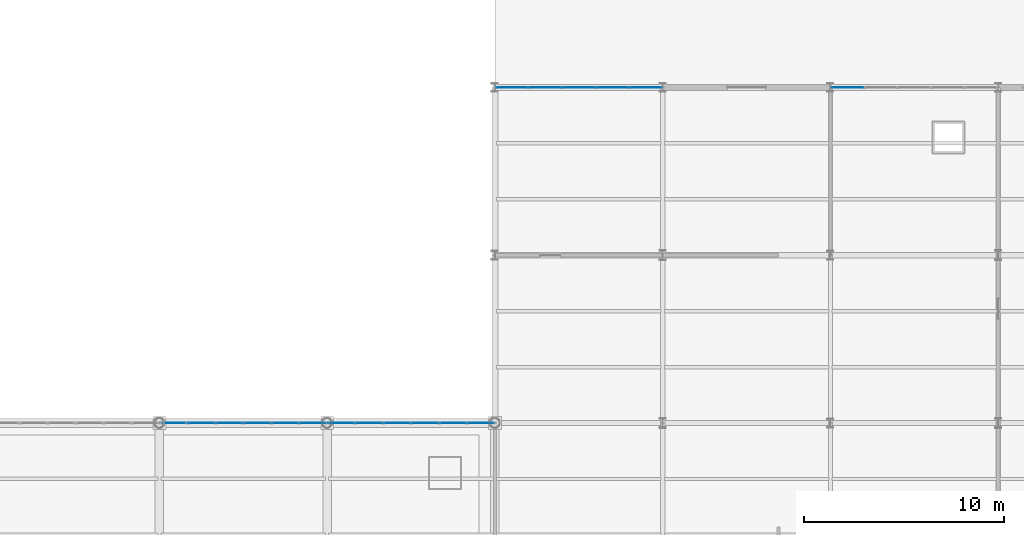
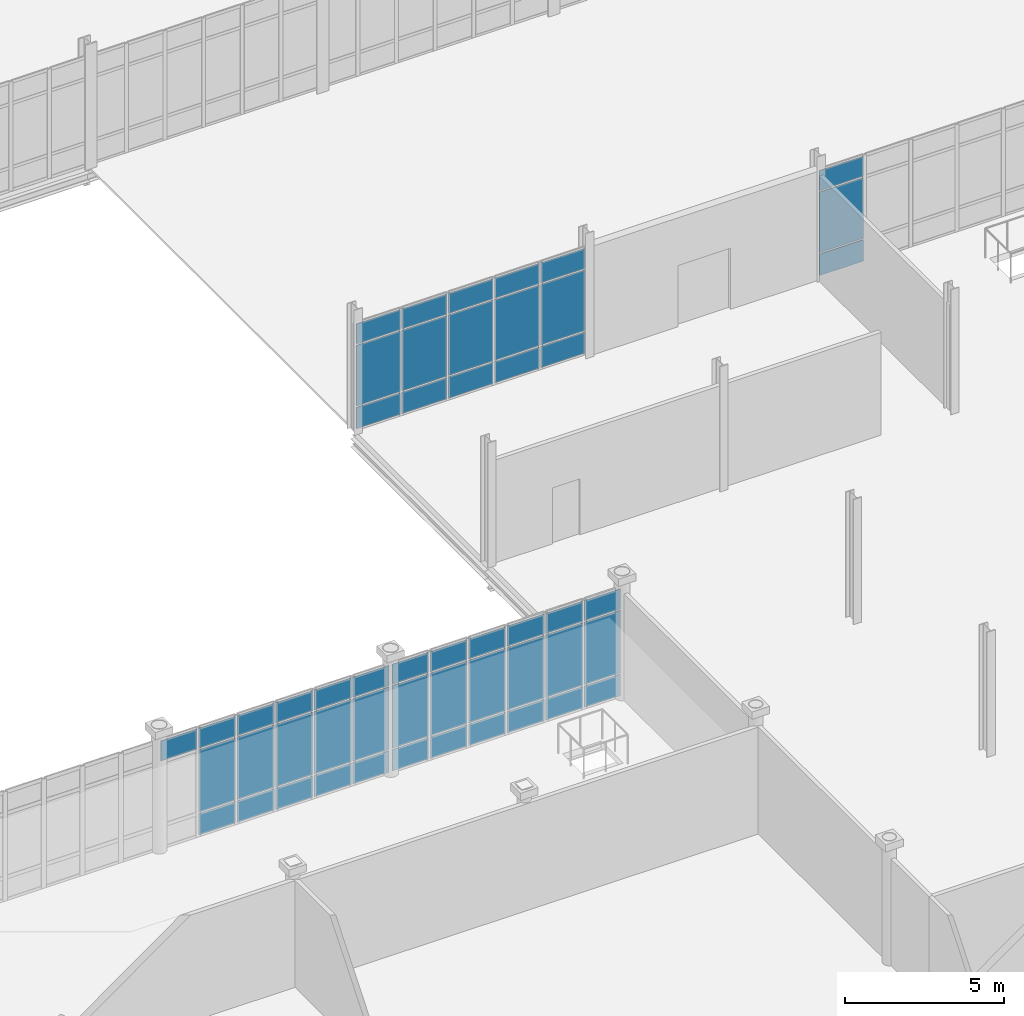
# One storey, part 113 of 145: 52 plates, 4 elements without a shape of their own.
"""IFC4 building model written with IfcOpenShell, lengths in metres."""

from ifc_helpers import new_model, si_unit, direction, frame, origin, origin_2d, place, context, subcontext, project, spatial, rectangle, extrude, material, layer, layer_set, type_object, element, aggregate, save


model = new_model("IFC4")

# Units and contexts
model_context = context("Model", 3, precision=1e-05, world=origin(), true_north=direction((0.0, 1.0)))
body_context = subcontext(model_context, "Body", "Model", "MODEL_VIEW")
ifc_project = project(units=[si_unit("LENGTHUNIT", "METRE"), si_unit("AREAUNIT", "SQUARE_METRE"), si_unit("VOLUMEUNIT", "CUBIC_METRE"), si_unit("PLANEANGLEUNIT", "RADIAN"), si_unit("MASSUNIT", "GRAM", prefix="KILO")], contexts=[model_context])

# Site, building, storey
site_placement = place(None, origin())
site = spatial("IfcSite", under=ifc_project, at=site_placement, CompositionType="ELEMENT")
building_placement = place(site_placement, origin())
building = spatial("IfcBuilding", under=site, at=building_placement, Name="Qalvenar Corner Mobility Hub", CompositionType="ELEMENT")
storey_placement = place(building_placement, origin())
storey = spatial("IfcBuildingStorey", under=building, at=storey_placement, Name="L00", CompositionType="ELEMENT", Elevation=0.0)

# Curtain wall, plates
ifc_material_1 = material(Name="Anodised Aluminium and Low-E Glazing", Category="aluminium")
ifc_layer_1 = layer(ifc_material_1, 0.179931640625)
ifc_layer_set_1 = layer_set([ifc_layer_1], Name="Anodised Aluminium and Low-E Glazing")
curtain_wall_type_1 = type_object("IfcCurtainWallType", Name="CW-CONC-84X48", PredefinedType="NOTDEFINED", material=ifc_layer_set_1)
curtain_wall_1_placement = place(storey_placement, origin())
curtain_wall_1 = element("IfcCurtainWall", 1, at=curtain_wall_1_placement, inside=storey, type_object=curtain_wall_type_1, Name="Glazed Curtain Wall CW-V1-L00-N5", PredefinedType="NOTDEFINED")
ifc_material_2 = material(Name="Solar-Control Low-E Double Glazing", Category="glass")
ifc_layer_2 = layer(ifc_material_2, 0.028076171875)
ifc_layer_set_2 = layer_set([ifc_layer_2], Name="Solar-Control Low-E Double Glazing")
plate_type = type_object("IfcPlateType", Name="PLT-CWP-GLZ1", PredefinedType="CURTAIN_PANEL", material=ifc_layer_set_2)
plate_1_placement = place(storey_placement, frame((100.0849609375, 33.60009765625, 0.05517578125), z_axis=(0.0, 0.0, 1.0), x_axis=(-1.0, 0.0, 0.0)))
plate_1 = element("IfcPlate", 2, at=plate_1_placement, type_object=plate_type, Name="CW-01 panel 1.1", PredefinedType="CURTAIN_PANEL", context=body_context, shape_type="SweptSolid", body=[
    extrude(rectangle(XDim=1.31005859375, YDim=0.028076171875, at=origin_2d()), origin(), (0.0, 0.0, 1.0), 0.8173828125),
])
plate_2_placement = place(storey_placement, frame((100.0849609375, 33.60009765625, 0.927490234375), z_axis=(0.0, 0.0, 1.0), x_axis=(-1.0, 0.0, 0.0)))
plate_2 = element("IfcPlate", 3, at=plate_2_placement, type_object=plate_type, Name="CW-01 panel 1.2", PredefinedType="CURTAIN_PANEL", context=body_context, shape_type="SweptSolid", body=[
    extrude(rectangle(XDim=1.31005859375, YDim=0.028076171875, at=origin_2d()), origin(), (0.0, 0.0, 1.0), 2.39501953125),
])
plate_3_placement = place(storey_placement, frame((100.0849609375, 33.60009765625, 3.37744140625), z_axis=(0.0, 0.0, 1.0), x_axis=(-1.0, 0.0, 0.0)))
plate_3 = element("IfcPlate", 4, at=plate_3_placement, type_object=plate_type, Name="CW-01 panel 1.3", PredefinedType="CURTAIN_PANEL", context=body_context, shape_type="SweptSolid", body=[
    extrude(rectangle(XDim=1.31005859375, YDim=0.028076171875, at=origin_2d()), origin(), (0.0, 0.0, 1.0), 0.767578125),
])
plate_4_placement = place(storey_placement, frame((98.699951171875, 33.60009765625, 0.05517578125), z_axis=(0.0, 0.0, 1.0), x_axis=(-1.0, 0.0, 0.0)))
plate_4 = element("IfcPlate", 5, at=plate_4_placement, type_object=plate_type, Name="CW-01 panel 2.1", PredefinedType="CURTAIN_PANEL", context=body_context, shape_type="SweptSolid", body=[
    extrude(rectangle(XDim=1.340087890625, YDim=0.028076171875, at=origin_2d()), origin(), (0.0, 0.0, 1.0), 0.8173828125),
])
plate_5_placement = place(storey_placement, frame((98.699951171875, 33.60009765625, 0.927490234375), z_axis=(0.0, 0.0, 1.0), x_axis=(-1.0, 0.0, 0.0)))
plate_5 = element("IfcPlate", 6, at=plate_5_placement, type_object=plate_type, Name="CW-01 panel 2.2", PredefinedType="CURTAIN_PANEL", context=body_context, shape_type="SweptSolid", body=[
    extrude(rectangle(XDim=1.340087890625, YDim=0.028076171875, at=origin_2d()), origin(), (0.0, 0.0, 1.0), 2.39501953125),
])
plate_6_placement = place(storey_placement, frame((98.699951171875, 33.60009765625, 3.37744140625), z_axis=(0.0, 0.0, 1.0), x_axis=(-1.0, 0.0, 0.0)))
plate_6 = element("IfcPlate", 7, at=plate_6_placement, type_object=plate_type, Name="CW-01 panel 2.3", PredefinedType="CURTAIN_PANEL", context=body_context, shape_type="SweptSolid", body=[
    extrude(rectangle(XDim=1.340087890625, YDim=0.028076171875, at=origin_2d()), origin(), (0.0, 0.0, 1.0), 0.767578125),
])
plate_7_placement = place(storey_placement, frame((97.300048828125, 33.60009765625, 0.05517578125), z_axis=(0.0, 0.0, 1.0), x_axis=(-1.0, 0.0, 0.0)))
plate_7 = element("IfcPlate", 8, at=plate_7_placement, type_object=plate_type, Name="CW-01 panel 3.1", PredefinedType="CURTAIN_PANEL", context=body_context, shape_type="SweptSolid", body=[
    extrude(rectangle(XDim=1.340087890625, YDim=0.028076171875, at=origin_2d()), origin(), (0.0, 0.0, 1.0), 0.8173828125),
])
plate_8_placement = place(storey_placement, frame((97.300048828125, 33.60009765625, 0.927490234375), z_axis=(0.0, 0.0, 1.0), x_axis=(-1.0, 0.0, 0.0)))
plate_8 = element("IfcPlate", 9, at=plate_8_placement, type_object=plate_type, Name="CW-01 panel 3.2", PredefinedType="CURTAIN_PANEL", context=body_context, shape_type="SweptSolid", body=[
    extrude(rectangle(XDim=1.340087890625, YDim=0.028076171875, at=origin_2d()), origin(), (0.0, 0.0, 1.0), 2.39501953125),
])
plate_9_placement = place(storey_placement, frame((97.300048828125, 33.60009765625, 3.37744140625), z_axis=(0.0, 0.0, 1.0), x_axis=(-1.0, 0.0, 0.0)))
plate_9 = element("IfcPlate", 10, at=plate_9_placement, type_object=plate_type, Name="CW-01 panel 3.3", PredefinedType="CURTAIN_PANEL", context=body_context, shape_type="SweptSolid", body=[
    extrude(rectangle(XDim=1.340087890625, YDim=0.028076171875, at=origin_2d()), origin(), (0.0, 0.0, 1.0), 0.767578125),
])
plate_10_placement = place(storey_placement, frame((95.89990234375, 33.60009765625, 0.05517578125), z_axis=(0.0, 0.0, 1.0), x_axis=(-1.0, 0.0, 0.0)))
plate_10 = element("IfcPlate", 11, at=plate_10_placement, type_object=plate_type, Name="CW-01 panel 4.1", PredefinedType="CURTAIN_PANEL", context=body_context, shape_type="SweptSolid", body=[
    extrude(rectangle(XDim=1.340087890625, YDim=0.028076171875, at=origin_2d()), origin(), (0.0, 0.0, 1.0), 0.8173828125),
])
plate_11_placement = place(storey_placement, frame((95.89990234375, 33.60009765625, 0.927490234375), z_axis=(0.0, 0.0, 1.0), x_axis=(-1.0, 0.0, 0.0)))
plate_11 = element("IfcPlate", 12, at=plate_11_placement, type_object=plate_type, Name="CW-01 panel 4.2", PredefinedType="CURTAIN_PANEL", context=body_context, shape_type="SweptSolid", body=[
    extrude(rectangle(XDim=1.340087890625, YDim=0.028076171875, at=origin_2d()), origin(), (0.0, 0.0, 1.0), 2.39501953125),
])
plate_12_placement = place(storey_placement, frame((95.89990234375, 33.60009765625, 3.37744140625), z_axis=(0.0, 0.0, 1.0), x_axis=(-1.0, 0.0, 0.0)))
plate_12 = element("IfcPlate", 13, at=plate_12_placement, type_object=plate_type, Name="CW-01 panel 4.3", PredefinedType="CURTAIN_PANEL", context=body_context, shape_type="SweptSolid", body=[
    extrude(rectangle(XDim=1.340087890625, YDim=0.028076171875, at=origin_2d()), origin(), (0.0, 0.0, 1.0), 0.767578125),
])
plate_13_placement = place(storey_placement, frame((94.5, 33.60009765625, 0.05517578125), z_axis=(0.0, 0.0, 1.0), x_axis=(-1.0, 0.0, 0.0)))
plate_13 = element("IfcPlate", 14, at=plate_13_placement, type_object=plate_type, Name="CW-01 panel 5.1", PredefinedType="CURTAIN_PANEL", context=body_context, shape_type="SweptSolid", body=[
    extrude(rectangle(XDim=1.340087890625, YDim=0.028076171875, at=origin_2d()), origin(), (0.0, 0.0, 1.0), 0.8173828125),
])
plate_14_placement = place(storey_placement, frame((94.5, 33.60009765625, 0.927490234375), z_axis=(0.0, 0.0, 1.0), x_axis=(-1.0, 0.0, 0.0)))
plate_14 = element("IfcPlate", 15, at=plate_14_placement, type_object=plate_type, Name="CW-01 panel 5.2", PredefinedType="CURTAIN_PANEL", context=body_context, shape_type="SweptSolid", body=[
    extrude(rectangle(XDim=1.340087890625, YDim=0.028076171875, at=origin_2d()), origin(), (0.0, 0.0, 1.0), 2.39501953125),
])
plate_15_placement = place(storey_placement, frame((94.5, 33.60009765625, 3.37744140625), z_axis=(0.0, 0.0, 1.0), x_axis=(-1.0, 0.0, 0.0)))
plate_15 = element("IfcPlate", 16, at=plate_15_placement, type_object=plate_type, Name="CW-01 panel 5.3", PredefinedType="CURTAIN_PANEL", context=body_context, shape_type="SweptSolid", body=[
    extrude(rectangle(XDim=1.340087890625, YDim=0.028076171875, at=origin_2d()), origin(), (0.0, 0.0, 1.0), 0.767578125),
])
plate_16_placement = place(storey_placement, frame((93.114990234375, 33.60009765625, 3.37744140625), z_axis=(0.0, 0.0, 1.0), x_axis=(-1.0, 0.0, 0.0)))
plate_16 = element("IfcPlate", 17, at=plate_16_placement, type_object=plate_type, Name="CW-01 panel 6.3", PredefinedType="CURTAIN_PANEL", context=body_context, shape_type="SweptSolid", body=[
    extrude(rectangle(XDim=1.31005859375, YDim=0.028076171875, at=origin_2d()), origin(), (0.0, 0.0, 1.0), 0.767578125),
])
aggregate(curtain_wall_1, [plate_1, plate_2, plate_3, plate_4, plate_5, plate_6, plate_7, plate_8, plate_9, plate_10, plate_11, plate_12, plate_13, plate_14, plate_15, plate_16])

curtain_wall_2_placement = place(storey_placement, origin())
curtain_wall_2 = element("IfcCurtainWall", 18, at=curtain_wall_2_placement, inside=storey, type_object=curtain_wall_type_1, Name="Glazed Curtain Wall CW-V1-L00-N6", PredefinedType="NOTDEFINED")
plate_17_placement = place(storey_placement, frame((108.485107421875, 33.60009765625, 0.05517578125), z_axis=(0.0, 0.0, 1.0), x_axis=(-1.0, 0.0, 0.0)))
plate_17 = element("IfcPlate", 19, at=plate_17_placement, type_object=plate_type, Name="CW-01 panel 1.1", PredefinedType="CURTAIN_PANEL", context=body_context, shape_type="SweptSolid", body=[
    extrude(rectangle(XDim=1.31005859375, YDim=0.028076171875, at=origin_2d()), origin(), (0.0, 0.0, 1.0), 0.8173828125),
])
plate_18_placement = place(storey_placement, frame((108.485107421875, 33.60009765625, 0.927490234375), z_axis=(0.0, 0.0, 1.0), x_axis=(-1.0, 0.0, 0.0)))
plate_18 = element("IfcPlate", 20, at=plate_18_placement, type_object=plate_type, Name="CW-01 panel 1.2", PredefinedType="CURTAIN_PANEL", context=body_context, shape_type="SweptSolid", body=[
    extrude(rectangle(XDim=1.31005859375, YDim=0.028076171875, at=origin_2d()), origin(), (0.0, 0.0, 1.0), 2.39501953125),
])
plate_19_placement = place(storey_placement, frame((108.485107421875, 33.60009765625, 3.37744140625), z_axis=(0.0, 0.0, 1.0), x_axis=(-1.0, 0.0, 0.0)))
plate_19 = element("IfcPlate", 21, at=plate_19_placement, type_object=plate_type, Name="CW-01 panel 1.3", PredefinedType="CURTAIN_PANEL", context=body_context, shape_type="SweptSolid", body=[
    extrude(rectangle(XDim=1.31005859375, YDim=0.028076171875, at=origin_2d()), origin(), (0.0, 0.0, 1.0), 0.767578125),
])
plate_20_placement = place(storey_placement, frame((107.10009765625, 33.60009765625, 0.05517578125), z_axis=(0.0, 0.0, 1.0), x_axis=(-1.0, 0.0, 0.0)))
plate_20 = element("IfcPlate", 22, at=plate_20_placement, type_object=plate_type, Name="CW-01 panel 2.1", PredefinedType="CURTAIN_PANEL", context=body_context, shape_type="SweptSolid", body=[
    extrude(rectangle(XDim=1.340087890625, YDim=0.028076171875, at=origin_2d()), origin(), (0.0, 0.0, 1.0), 0.8173828125),
])
plate_21_placement = place(storey_placement, frame((107.10009765625, 33.60009765625, 0.927490234375), z_axis=(0.0, 0.0, 1.0), x_axis=(-1.0, 0.0, 0.0)))
plate_21 = element("IfcPlate", 23, at=plate_21_placement, type_object=plate_type, Name="CW-01 panel 2.2", PredefinedType="CURTAIN_PANEL", context=body_context, shape_type="SweptSolid", body=[
    extrude(rectangle(XDim=1.340087890625, YDim=0.028076171875, at=origin_2d()), origin(), (0.0, 0.0, 1.0), 2.39501953125),
])
plate_22_placement = place(storey_placement, frame((107.10009765625, 33.60009765625, 3.37744140625), z_axis=(0.0, 0.0, 1.0), x_axis=(-1.0, 0.0, 0.0)))
plate_22 = element("IfcPlate", 24, at=plate_22_placement, type_object=plate_type, Name="CW-01 panel 2.3", PredefinedType="CURTAIN_PANEL", context=body_context, shape_type="SweptSolid", body=[
    extrude(rectangle(XDim=1.340087890625, YDim=0.028076171875, at=origin_2d()), origin(), (0.0, 0.0, 1.0), 0.767578125),
])
plate_23_placement = place(storey_placement, frame((105.699951171875, 33.60009765625, 0.05517578125), z_axis=(0.0, 0.0, 1.0), x_axis=(-1.0, 0.0, 0.0)))
plate_23 = element("IfcPlate", 25, at=plate_23_placement, type_object=plate_type, Name="CW-01 panel 3.1", PredefinedType="CURTAIN_PANEL", context=body_context, shape_type="SweptSolid", body=[
    extrude(rectangle(XDim=1.340087890625, YDim=0.028076171875, at=origin_2d()), origin(), (0.0, 0.0, 1.0), 0.8173828125),
])
plate_24_placement = place(storey_placement, frame((105.699951171875, 33.60009765625, 0.927490234375), z_axis=(0.0, 0.0, 1.0), x_axis=(-1.0, 0.0, 0.0)))
plate_24 = element("IfcPlate", 26, at=plate_24_placement, type_object=plate_type, Name="CW-01 panel 3.2", PredefinedType="CURTAIN_PANEL", context=body_context, shape_type="SweptSolid", body=[
    extrude(rectangle(XDim=1.340087890625, YDim=0.028076171875, at=origin_2d()), origin(), (0.0, 0.0, 1.0), 2.39501953125),
])
plate_25_placement = place(storey_placement, frame((105.699951171875, 33.60009765625, 3.37744140625), z_axis=(0.0, 0.0, 1.0), x_axis=(-1.0, 0.0, 0.0)))
plate_25 = element("IfcPlate", 27, at=plate_25_placement, type_object=plate_type, Name="CW-01 panel 3.3", PredefinedType="CURTAIN_PANEL", context=body_context, shape_type="SweptSolid", body=[
    extrude(rectangle(XDim=1.340087890625, YDim=0.028076171875, at=origin_2d()), origin(), (0.0, 0.0, 1.0), 0.767578125),
])
plate_26_placement = place(storey_placement, frame((104.300048828125, 33.60009765625, 0.05517578125), z_axis=(0.0, 0.0, 1.0), x_axis=(-1.0, 0.0, 0.0)))
plate_26 = element("IfcPlate", 28, at=plate_26_placement, type_object=plate_type, Name="CW-01 panel 4.1", PredefinedType="CURTAIN_PANEL", context=body_context, shape_type="SweptSolid", body=[
    extrude(rectangle(XDim=1.340087890625, YDim=0.028076171875, at=origin_2d()), origin(), (0.0, 0.0, 1.0), 0.8173828125),
])
plate_27_placement = place(storey_placement, frame((104.300048828125, 33.60009765625, 0.927490234375), z_axis=(0.0, 0.0, 1.0), x_axis=(-1.0, 0.0, 0.0)))
plate_27 = element("IfcPlate", 29, at=plate_27_placement, type_object=plate_type, Name="CW-01 panel 4.2", PredefinedType="CURTAIN_PANEL", context=body_context, shape_type="SweptSolid", body=[
    extrude(rectangle(XDim=1.340087890625, YDim=0.028076171875, at=origin_2d()), origin(), (0.0, 0.0, 1.0), 2.39501953125),
])
plate_28_placement = place(storey_placement, frame((104.300048828125, 33.60009765625, 3.37744140625), z_axis=(0.0, 0.0, 1.0), x_axis=(-1.0, 0.0, 0.0)))
plate_28 = element("IfcPlate", 30, at=plate_28_placement, type_object=plate_type, Name="CW-01 panel 4.3", PredefinedType="CURTAIN_PANEL", context=body_context, shape_type="SweptSolid", body=[
    extrude(rectangle(XDim=1.340087890625, YDim=0.028076171875, at=origin_2d()), origin(), (0.0, 0.0, 1.0), 0.767578125),
])
plate_29_placement = place(storey_placement, frame((102.89990234375, 33.60009765625, 0.05517578125), z_axis=(0.0, 0.0, 1.0), x_axis=(-1.0, 0.0, 0.0)))
plate_29 = element("IfcPlate", 31, at=plate_29_placement, type_object=plate_type, Name="CW-01 panel 5.1", PredefinedType="CURTAIN_PANEL", context=body_context, shape_type="SweptSolid", body=[
    extrude(rectangle(XDim=1.340087890625, YDim=0.028076171875, at=origin_2d()), origin(), (0.0, 0.0, 1.0), 0.8173828125),
])
plate_30_placement = place(storey_placement, frame((102.89990234375, 33.60009765625, 0.927490234375), z_axis=(0.0, 0.0, 1.0), x_axis=(-1.0, 0.0, 0.0)))
plate_30 = element("IfcPlate", 32, at=plate_30_placement, type_object=plate_type, Name="CW-01 panel 5.2", PredefinedType="CURTAIN_PANEL", context=body_context, shape_type="SweptSolid", body=[
    extrude(rectangle(XDim=1.340087890625, YDim=0.028076171875, at=origin_2d()), origin(), (0.0, 0.0, 1.0), 2.39501953125),
])
plate_31_placement = place(storey_placement, frame((102.89990234375, 33.60009765625, 3.37744140625), z_axis=(0.0, 0.0, 1.0), x_axis=(-1.0, 0.0, 0.0)))
plate_31 = element("IfcPlate", 33, at=plate_31_placement, type_object=plate_type, Name="CW-01 panel 5.3", PredefinedType="CURTAIN_PANEL", context=body_context, shape_type="SweptSolid", body=[
    extrude(rectangle(XDim=1.340087890625, YDim=0.028076171875, at=origin_2d()), origin(), (0.0, 0.0, 1.0), 0.767578125),
])
plate_32_placement = place(storey_placement, frame((101.514892578125, 33.60009765625, 0.05517578125), z_axis=(0.0, 0.0, 1.0), x_axis=(-1.0, 0.0, 0.0)))
plate_32 = element("IfcPlate", 34, at=plate_32_placement, type_object=plate_type, Name="CW-01 panel 6.1", PredefinedType="CURTAIN_PANEL", context=body_context, shape_type="SweptSolid", body=[
    extrude(rectangle(XDim=1.31005859375, YDim=0.028076171875, at=origin_2d()), origin(), (0.0, 0.0, 1.0), 0.8173828125),
])
plate_33_placement = place(storey_placement, frame((101.514892578125, 33.60009765625, 0.927490234375), z_axis=(0.0, 0.0, 1.0), x_axis=(-1.0, 0.0, 0.0)))
plate_33 = element("IfcPlate", 35, at=plate_33_placement, type_object=plate_type, Name="CW-01 panel 6.2", PredefinedType="CURTAIN_PANEL", context=body_context, shape_type="SweptSolid", body=[
    extrude(rectangle(XDim=1.31005859375, YDim=0.028076171875, at=origin_2d()), origin(), (0.0, 0.0, 1.0), 2.39501953125),
])
plate_34_placement = place(storey_placement, frame((101.514892578125, 33.60009765625, 3.37744140625), z_axis=(0.0, 0.0, 1.0), x_axis=(-1.0, 0.0, 0.0)))
plate_34 = element("IfcPlate", 36, at=plate_34_placement, type_object=plate_type, Name="CW-01 panel 6.3", PredefinedType="CURTAIN_PANEL", context=body_context, shape_type="SweptSolid", body=[
    extrude(rectangle(XDim=1.31005859375, YDim=0.028076171875, at=origin_2d()), origin(), (0.0, 0.0, 1.0), 0.767578125),
])
aggregate(curtain_wall_2, [plate_17, plate_18, plate_19, plate_20, plate_21, plate_22, plate_23, plate_24, plate_25, plate_26, plate_27, plate_28, plate_29, plate_30, plate_31, plate_32, plate_33, plate_34])

ifc_layer_3 = layer(ifc_material_1, 0.14990234375)
ifc_layer_set_3 = layer_set([ifc_layer_3], Name="Anodised Aluminium and Low-E Glazing")
curtain_wall_type_2 = type_object("IfcCurtainWallType", Name="CW-WKS-84X44", PredefinedType="NOTDEFINED", material=ifc_layer_set_3)
curtain_wall_3_placement = place(storey_placement, origin())
curtain_wall_3 = element("IfcCurtainWall", 37, at=curtain_wall_3_placement, inside=storey, type_object=curtain_wall_type_2, Name="Glazed Curtain Wall CW-V6-L00-N0", PredefinedType="NOTDEFINED")
plate_35_placement = place(storey_placement, frame((116.7451171875, 50.39990234375, 0.05517578125), z_axis=(0.0, 0.0, 1.0), x_axis=(-1.0, 0.0, 0.0)))
plate_35 = element("IfcPlate", 38, at=plate_35_placement, type_object=plate_type, Name="CW-09 panel 1.1", PredefinedType="CURTAIN_PANEL", context=body_context, shape_type="SweptSolid", body=[
    extrude(rectangle(XDim=1.590087890625, YDim=0.028076171875, at=origin_2d()), origin(), (0.0, 0.0, 1.0), 0.8173828125),
])
plate_36_placement = place(storey_placement, frame((116.7451171875, 50.39990234375, 0.927734375), z_axis=(0.0, 0.0, 1.0), x_axis=(-1.0, 0.0, 0.0)))
plate_36 = element("IfcPlate", 39, at=plate_36_placement, type_object=plate_type, Name="CW-09 panel 1.2", PredefinedType="CURTAIN_PANEL", context=body_context, shape_type="SweptSolid", body=[
    extrude(rectangle(XDim=1.590087890625, YDim=0.028076171875, at=origin_2d()), origin(), (0.0, 0.0, 1.0), 2.324951171875),
])
plate_37_placement = place(storey_placement, frame((116.7451171875, 50.39990234375, 3.307373046875), z_axis=(0.0, 0.0, 1.0), x_axis=(-1.0, 0.0, 0.0)))
plate_37 = element("IfcPlate", 40, at=plate_37_placement, type_object=plate_type, Name="CW-09 panel 1.3", PredefinedType="CURTAIN_PANEL", context=body_context, shape_type="SweptSolid", body=[
    extrude(rectangle(XDim=1.590087890625, YDim=0.028076171875, at=origin_2d()), origin(), (0.0, 0.0, 1.0), 0.767578125),
])
plate_38_placement = place(storey_placement, frame((115.080078125, 50.39990234375, 0.05517578125), z_axis=(0.0, 0.0, 1.0), x_axis=(-1.0, 0.0, 0.0)))
plate_38 = element("IfcPlate", 41, at=plate_38_placement, type_object=plate_type, Name="CW-09 panel 2.1", PredefinedType="CURTAIN_PANEL", context=body_context, shape_type="SweptSolid", body=[
    extrude(rectangle(XDim=1.6201171875, YDim=0.028076171875, at=origin_2d()), origin(), (0.0, 0.0, 1.0), 0.8173828125),
])
plate_39_placement = place(storey_placement, frame((115.080078125, 50.39990234375, 0.927734375), z_axis=(0.0, 0.0, 1.0), x_axis=(-1.0, 0.0, 0.0)))
plate_39 = element("IfcPlate", 42, at=plate_39_placement, type_object=plate_type, Name="CW-09 panel 2.2", PredefinedType="CURTAIN_PANEL", context=body_context, shape_type="SweptSolid", body=[
    extrude(rectangle(XDim=1.6201171875, YDim=0.028076171875, at=origin_2d()), origin(), (0.0, 0.0, 1.0), 2.324951171875),
])
plate_40_placement = place(storey_placement, frame((115.080078125, 50.39990234375, 3.307373046875), z_axis=(0.0, 0.0, 1.0), x_axis=(-1.0, 0.0, 0.0)))
plate_40 = element("IfcPlate", 43, at=plate_40_placement, type_object=plate_type, Name="CW-09 panel 2.3", PredefinedType="CURTAIN_PANEL", context=body_context, shape_type="SweptSolid", body=[
    extrude(rectangle(XDim=1.6201171875, YDim=0.028076171875, at=origin_2d()), origin(), (0.0, 0.0, 1.0), 0.767578125),
])
plate_41_placement = place(storey_placement, frame((113.39990234375, 50.39990234375, 0.05517578125), z_axis=(0.0, 0.0, 1.0), x_axis=(-1.0, 0.0, 0.0)))
plate_41 = element("IfcPlate", 44, at=plate_41_placement, type_object=plate_type, Name="CW-09 panel 3.1", PredefinedType="CURTAIN_PANEL", context=body_context, shape_type="SweptSolid", body=[
    extrude(rectangle(XDim=1.6201171875, YDim=0.028076171875, at=origin_2d()), origin(), (0.0, 0.0, 1.0), 0.8173828125),
])
plate_42_placement = place(storey_placement, frame((113.39990234375, 50.39990234375, 0.927734375), z_axis=(0.0, 0.0, 1.0), x_axis=(-1.0, 0.0, 0.0)))
plate_42 = element("IfcPlate", 45, at=plate_42_placement, type_object=plate_type, Name="CW-09 panel 3.2", PredefinedType="CURTAIN_PANEL", context=body_context, shape_type="SweptSolid", body=[
    extrude(rectangle(XDim=1.6201171875, YDim=0.028076171875, at=origin_2d()), origin(), (0.0, 0.0, 1.0), 2.324951171875),
])
plate_43_placement = place(storey_placement, frame((113.39990234375, 50.39990234375, 3.307373046875), z_axis=(0.0, 0.0, 1.0), x_axis=(-1.0, 0.0, 0.0)))
plate_43 = element("IfcPlate", 46, at=plate_43_placement, type_object=plate_type, Name="CW-09 panel 3.3", PredefinedType="CURTAIN_PANEL", context=body_context, shape_type="SweptSolid", body=[
    extrude(rectangle(XDim=1.6201171875, YDim=0.028076171875, at=origin_2d()), origin(), (0.0, 0.0, 1.0), 0.767578125),
])
plate_44_placement = place(storey_placement, frame((111.719970703125, 50.39990234375, 0.05517578125), z_axis=(0.0, 0.0, 1.0), x_axis=(-1.0, 0.0, 0.0)))
plate_44 = element("IfcPlate", 47, at=plate_44_placement, type_object=plate_type, Name="CW-09 panel 4.1", PredefinedType="CURTAIN_PANEL", context=body_context, shape_type="SweptSolid", body=[
    extrude(rectangle(XDim=1.6201171875, YDim=0.028076171875, at=origin_2d()), origin(), (0.0, 0.0, 1.0), 0.8173828125),
])
plate_45_placement = place(storey_placement, frame((111.719970703125, 50.39990234375, 0.927734375), z_axis=(0.0, 0.0, 1.0), x_axis=(-1.0, 0.0, 0.0)))
plate_45 = element("IfcPlate", 48, at=plate_45_placement, type_object=plate_type, Name="CW-09 panel 4.2", PredefinedType="CURTAIN_PANEL", context=body_context, shape_type="SweptSolid", body=[
    extrude(rectangle(XDim=1.6201171875, YDim=0.028076171875, at=origin_2d()), origin(), (0.0, 0.0, 1.0), 2.324951171875),
])
plate_46_placement = place(storey_placement, frame((111.719970703125, 50.39990234375, 3.307373046875), z_axis=(0.0, 0.0, 1.0), x_axis=(-1.0, 0.0, 0.0)))
plate_46 = element("IfcPlate", 49, at=plate_46_placement, type_object=plate_type, Name="CW-09 panel 4.3", PredefinedType="CURTAIN_PANEL", context=body_context, shape_type="SweptSolid", body=[
    extrude(rectangle(XDim=1.6201171875, YDim=0.028076171875, at=origin_2d()), origin(), (0.0, 0.0, 1.0), 0.767578125),
])
plate_47_placement = place(storey_placement, frame((110.054931640625, 50.39990234375, 0.05517578125), z_axis=(0.0, 0.0, 1.0), x_axis=(-1.0, 0.0, 0.0)))
plate_47 = element("IfcPlate", 50, at=plate_47_placement, type_object=plate_type, Name="CW-09 panel 5.1", PredefinedType="CURTAIN_PANEL", context=body_context, shape_type="SweptSolid", body=[
    extrude(rectangle(XDim=1.590087890625, YDim=0.028076171875, at=origin_2d()), origin(), (0.0, 0.0, 1.0), 0.8173828125),
])
plate_48_placement = place(storey_placement, frame((110.054931640625, 50.39990234375, 0.927734375), z_axis=(0.0, 0.0, 1.0), x_axis=(-1.0, 0.0, 0.0)))
plate_48 = element("IfcPlate", 51, at=plate_48_placement, type_object=plate_type, Name="CW-09 panel 5.2", PredefinedType="CURTAIN_PANEL", context=body_context, shape_type="SweptSolid", body=[
    extrude(rectangle(XDim=1.590087890625, YDim=0.028076171875, at=origin_2d()), origin(), (0.0, 0.0, 1.0), 2.324951171875),
])
plate_49_placement = place(storey_placement, frame((110.054931640625, 50.39990234375, 3.307373046875), z_axis=(0.0, 0.0, 1.0), x_axis=(-1.0, 0.0, 0.0)))
plate_49 = element("IfcPlate", 52, at=plate_49_placement, type_object=plate_type, Name="CW-09 panel 5.3", PredefinedType="CURTAIN_PANEL", context=body_context, shape_type="SweptSolid", body=[
    extrude(rectangle(XDim=1.590087890625, YDim=0.028076171875, at=origin_2d()), origin(), (0.0, 0.0, 1.0), 0.767578125),
])
aggregate(curtain_wall_3, [plate_35, plate_36, plate_37, plate_38, plate_39, plate_40, plate_41, plate_42, plate_43, plate_44, plate_45, plate_46, plate_47, plate_48, plate_49])

curtain_wall_4_placement = place(storey_placement, origin())
curtain_wall_4 = element("IfcCurtainWall", 53, at=curtain_wall_4_placement, inside=storey, type_object=curtain_wall_type_2, Name="Glazed Curtain Wall CW-V6-L00-N2", PredefinedType="NOTDEFINED")
plate_50_placement = place(storey_placement, frame((126.85498046875, 50.39990234375, 0.05517578125), z_axis=(0.0, 0.0, 1.0), x_axis=(-1.0, 0.0, 0.0)))
plate_50 = element("IfcPlate", 54, at=plate_50_placement, type_object=plate_type, Name="CW-09 panel 5.1", PredefinedType="CURTAIN_PANEL", context=body_context, shape_type="SweptSolid", body=[
    extrude(rectangle(XDim=1.590087890625, YDim=0.028076171875, at=origin_2d()), origin(), (0.0, 0.0, 1.0), 0.8173828125),
])
plate_51_placement = place(storey_placement, frame((126.85498046875, 50.39990234375, 0.927734375), z_axis=(0.0, 0.0, 1.0), x_axis=(-1.0, 0.0, 0.0)))
plate_51 = element("IfcPlate", 55, at=plate_51_placement, type_object=plate_type, Name="CW-09 panel 5.2", PredefinedType="CURTAIN_PANEL", context=body_context, shape_type="SweptSolid", body=[
    extrude(rectangle(XDim=1.590087890625, YDim=0.028076171875, at=origin_2d()), origin(), (0.0, 0.0, 1.0), 2.324951171875),
])
plate_52_placement = place(storey_placement, frame((126.85498046875, 50.39990234375, 3.307373046875), z_axis=(0.0, 0.0, 1.0), x_axis=(-1.0, 0.0, 0.0)))
plate_52 = element("IfcPlate", 56, at=plate_52_placement, type_object=plate_type, Name="CW-09 panel 5.3", PredefinedType="CURTAIN_PANEL", context=body_context, shape_type="SweptSolid", body=[
    extrude(rectangle(XDim=1.590087890625, YDim=0.028076171875, at=origin_2d()), origin(), (0.0, 0.0, 1.0), 0.767578125),
])
aggregate(curtain_wall_4, [plate_50, plate_51, plate_52])

save(model, "model.ifc")
